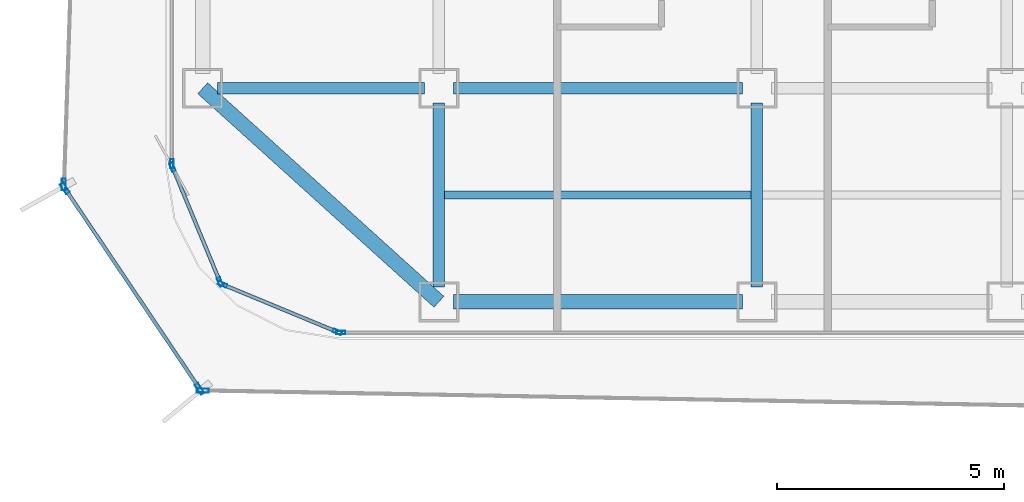
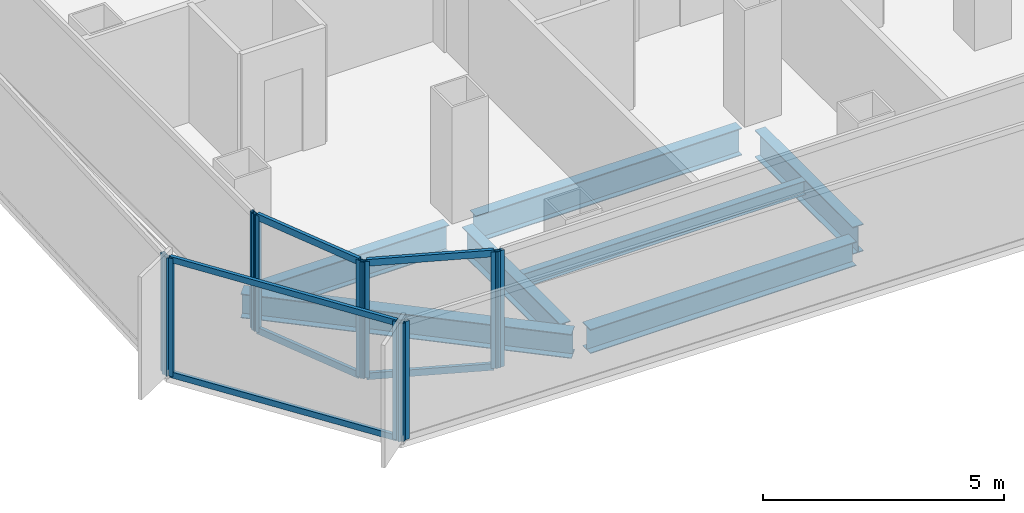
# One storey, part 2 of 21: 16 members, 7 beams, 7 elements without a shape of their own.
"""IFC4 building model written with IfcOpenShell, lengths in metres."""

import ifcopenshell
import ifcopenshell.guid

model = None  # the IFC model being written
_history = None  # IfcOwnerHistory: only IFC2X3 demands one
_inside = {}  # id of a spatial element -> (the spatial element, [elements in it])
_under = {}  # id of a project, library or spatial element -> (it, [spatial elements below it])
_declared = {}  # id of a project -> (the project, [libraries it declares])
_typed = {}  # id of a type object -> (the type object, [elements of that type])
_made_of = {}  # id of a material, layer set ... -> (it, [elements and type objects made of it])


def new_model(schema):
    """Start an empty IFC model of exactly this schema.

    Asked for "IFC4X3", IfcOpenShell would pick the latest addendum, in which some entities
    have other attributes; the version numbers below select the first issue.
    IFC2X3 requires an IfcOwnerHistory on every rooted entity: one is made here for all.
    """
    global model, _history
    if schema == "IFC4X3":
        model = ifcopenshell.file(schema_version=(4, 3, 0, 0))
    else:
        model = ifcopenshell.file(schema=schema)
    _inside.clear()
    _under.clear()
    _declared.clear()
    _typed.clear()
    _made_of.clear()
    _history = None
    if model.schema == "IFC2X3":
        org = make("IfcOrganization", Name="unknown")
        user = make(
            "IfcPersonAndOrganization",
            ThePerson=make("IfcPerson", FamilyName="unknown"),
            TheOrganization=org,
        )
        app = make(
            "IfcApplication",
            ApplicationDeveloper=org,
            Version="unknown",
            ApplicationFullName="unknown",
            ApplicationIdentifier="unknown",
        )
        _history = make(
            "IfcOwnerHistory",
            OwningUser=user,
            OwningApplication=app,
            ChangeAction="ADDED",
            CreationDate=0,
        )
    return model


def make(cls, **values):
    """One entity of the class cls with the attributes given. An attribute that is None is left unset."""
    return model.create_entity(
        cls, **{name: value for name, value in values.items() if value is not None}
    )


def rooted(cls, **values):
    """An entity with a GlobalId (a new one), such as an element, a storey or a relation."""
    return make(cls, GlobalId=ifcopenshell.guid.new(), OwnerHistory=_history, **values)


def si_unit(unit_type, name, prefix=None):
    """IfcSIUnit, for example si_unit("LENGTHUNIT", "METRE", prefix="MILLI")."""
    return make("IfcSIUnit", UnitType=unit_type, Prefix=prefix, Name=name)


def assignment(units):
    """IfcUnitAssignment: the units of a project."""
    return None if units is None else make("IfcUnitAssignment", Units=units)


def point(xyz):
    """IfcCartesianPoint."""
    return None if xyz is None else make("IfcCartesianPoint", Coordinates=xyz)


def direction(xyz):
    """IfcDirection."""
    return None if xyz is None else make("IfcDirection", DirectionRatios=xyz)


def frame(location, z_axis=None, x_axis=None):
    """IfcAxis2Placement3D, a coordinate frame: its origin and axes. An axis left out is left unset."""
    return make(
        "IfcAxis2Placement3D",
        Location=point(location),
        Axis=direction(z_axis),
        RefDirection=direction(x_axis),
    )


def frame_2d(location, x_axis=None):
    """IfcAxis2Placement2D, a coordinate frame in the plane: its origin and x axis."""
    return make(
        "IfcAxis2Placement2D", Location=point(location), RefDirection=direction(x_axis)
    )


def origin():
    """The frame at (0, 0, 0) with its axes left unset."""
    return frame((0.0, 0.0, 0.0))


def origin_2d():
    """The frame at (0, 0) in the plane with its x axis left unset."""
    return frame_2d((0.0, 0.0))


def place(relative_to, where):
    """IfcLocalPlacement: puts the frame where relative to a parent placement (None: the world)."""
    return make(
        "IfcLocalPlacement", PlacementRelTo=relative_to, RelativePlacement=where
    )


def context(
    kind, dimensions, precision=None, world=None, true_north=None, identifier=None
):
    """IfcGeometricRepresentationContext, for example the 3D "Model" context."""
    return make(
        "IfcGeometricRepresentationContext",
        ContextIdentifier=identifier,
        ContextType=kind,
        CoordinateSpaceDimension=dimensions,
        Precision=precision,
        WorldCoordinateSystem=world,
        TrueNorth=true_north,
    )


def subcontext(parent, identifier, kind, view, scale=None):
    """IfcGeometricRepresentationSubContext, for example "Body" below "Model"."""
    return make(
        "IfcGeometricRepresentationSubContext",
        ContextIdentifier=identifier,
        ContextType=kind,
        ParentContext=parent,
        TargetScale=scale,
        TargetView=view,
    )


def project(units=None, contexts=None):
    """IfcProject with its units and contexts."""
    return rooted(
        "IfcProject",
        Name="project",
        RepresentationContexts=contexts,
        UnitsInContext=assignment(units),
    )


def spatial(cls, under=None, at=None, **own):
    """A site, building, storey or space (cls), placed at a placement, below another one or the project."""
    s = rooted(cls, ObjectPlacement=at, **own)
    if under is not None:
        _under.setdefault(under.id(), (under, []))[1].append(s)
    return s


def profile(cls, at=None, kind="AREA", **sizes):
    """A parametric profile (cls). Its sizes go by their IFC names, for example OverallWidth=200.0."""
    return make(cls, ProfileType=kind, Position=at, **sizes)


def hollow_rectangle(**sizes):
    """IfcRectangleHollowProfileDef."""
    return profile("IfcRectangleHollowProfileDef", **sizes)


def i_section(**sizes):
    """IfcIShapeProfileDef."""
    return profile("IfcIShapeProfileDef", **sizes)


def extrude(swept, where, along, depth):
    """IfcExtrudedAreaSolid: the profile swept, set in the frame where, extruded along a direction by depth."""
    return make(
        "IfcExtrudedAreaSolid",
        SweptArea=swept,
        Position=where,
        ExtrudedDirection=direction(along),
        Depth=depth,
    )


def shape(context_of_items, identifier, shape_type, items):
    """IfcShapeRepresentation: the items that make up one representation, for example the "Body"."""
    return make(
        "IfcShapeRepresentation",
        ContextOfItems=context_of_items,
        RepresentationIdentifier=identifier,
        RepresentationType=shape_type,
        Items=items,
    )


def source(mapping_origin, context_of_items, identifier, shape_type, items):
    """IfcRepresentationMap: a shape defined once, which mapped items show again and again."""
    return make(
        "IfcRepresentationMap",
        MappingOrigin=mapping_origin,
        MappedRepresentation=shape(context_of_items, identifier, shape_type, items),
    )


def transform(
    local_origin,
    x_axis=None,
    y_axis=None,
    z_axis=None,
    scale=None,
    scale2=None,
    scale3=None,
    uniform=True,
):
    """IfcCartesianTransformationOperator3D, or its non-uniform kind. x_axis, y_axis, z_axis: its Axis1, 2, 3."""
    if uniform:
        return make(
            "IfcCartesianTransformationOperator3D",
            Axis1=direction(x_axis),
            Axis2=direction(y_axis),
            LocalOrigin=point(local_origin),
            Scale=scale,
            Axis3=direction(z_axis),
        )
    return make(
        "IfcCartesianTransformationOperator3DnonUniform",
        Axis1=direction(x_axis),
        Axis2=direction(y_axis),
        LocalOrigin=point(local_origin),
        Scale=scale,
        Axis3=direction(z_axis),
        Scale2=scale2,
        Scale3=scale3,
    )


def mapped(mapping_source, mapping_target):
    """IfcMappedItem: shows the shape of a source again, moved by a transform."""
    return make(
        "IfcMappedItem", MappingSource=mapping_source, MappingTarget=mapping_target
    )


def material(Name=None, Category=None):
    """IfcMaterial."""
    return make("IfcMaterial", Name=Name, Category=Category)


def layer(
    of_material, thickness, ventilated=None, Name=None, Category=None, Priority=None
):
    """IfcMaterialLayer: one layer of a wall or slab, of a material (None: an air gap)."""
    return make(
        "IfcMaterialLayer",
        Material=of_material,
        LayerThickness=thickness,
        IsVentilated=ventilated,
        Name=Name,
        Category=Category,
        Priority=Priority,
    )


def layer_set(layers, Name=None):
    """IfcMaterialLayerSet."""
    return make("IfcMaterialLayerSet", MaterialLayers=layers, LayerSetName=Name)


def material_profile(
    of_material, cross_section, Name=None, Category=None, Priority=None
):
    """IfcMaterialProfile: a cross section and its material."""
    return make(
        "IfcMaterialProfile",
        Name=Name,
        Material=of_material,
        Profile=cross_section,
        Priority=Priority,
        Category=Category,
    )


def profile_set(profiles, Name=None, composite=None):
    """IfcMaterialProfileSet."""
    return make(
        "IfcMaterialProfileSet",
        Name=Name,
        MaterialProfiles=profiles,
        CompositeProfile=composite,
    )


def made_of(thing, what):
    """Note that an element or type object is made of a material, layer set ...; save() writes the relation."""
    if what is not None:
        _made_of.setdefault(what.id(), (what, []))[1].append(thing)
    return thing


def type_object(cls, material=None, **own):
    """A type object (cls), such as IfcWallType, which elements share."""
    return made_of(rooted(cls, **own), material)


def element(
    cls,
    number,
    at=None,
    inside=None,
    cuts=None,
    type_object=None,
    material=None,
    context=None,
    identifier="Body",
    shape_type=None,
    held_by="IfcProductDefinitionShape",
    body=None,
    shapes=None,
    **own,
):
    """One element of the class cls, such as IfcWall. Its Tag is "e" and its number.

    at: its placement. inside: the storey or other place that contains it. cuts: it is an
    opening in that element (IfcRelVoidsElement). A single representation is given by context,
    identifier, shape_type and body (its items); several are given by shapes. held_by: the class
    of the entity that holds the representations. save() writes the other relations.
    """
    e = rooted(cls, Tag="e%d" % number, ObjectPlacement=at, **own)
    if body is not None:
        shapes = [shape(context, identifier, shape_type, body)]
    if shapes is not None:
        e.Representation = make(held_by, Representations=shapes)
    if inside is not None:
        _inside.setdefault(inside.id(), (inside, []))[1].append(e)
    if cuts is not None:
        rooted(
            "IfcRelVoidsElement", RelatingBuildingElement=cuts, RelatedOpeningElement=e
        )
    if type_object is not None:
        _typed.setdefault(type_object.id(), (type_object, []))[1].append(e)
    return made_of(e, material)


def aggregate(whole, parts):
    """IfcRelAggregates: a whole, such as a stair, and the parts it consists of."""
    return rooted("IfcRelAggregates", RelatingObject=whole, RelatedObjects=parts)


def save(model, path):
    """Write the relations noted so far, then the file.

    IfcRelAggregates (storeys below a building ...), IfcRelContainedInSpatialStructure (elements
    in a storey), IfcRelDefinesByType, IfcRelAssociatesMaterial and IfcRelDeclares: one each for
    every whole, place, type object, material and project.
    """
    for whole, parts in _under.values():
        aggregate(whole, parts)
    for where, things in _inside.values():
        rooted(
            "IfcRelContainedInSpatialStructure",
            RelatedElements=things,
            RelatingStructure=where,
        )
    for kind, things in _typed.values():
        rooted("IfcRelDefinesByType", RelatedObjects=things, RelatingType=kind)
    for what, things in _made_of.values():
        rooted("IfcRelAssociatesMaterial", RelatedObjects=things, RelatingMaterial=what)
    for by, libraries in _declared.values():
        rooted("IfcRelDeclares", RelatingContext=by, RelatedDefinitions=libraries)
    model.write(path)


model = new_model("IFC4")

# Units and contexts
model_context = context("Model", 3, precision=1e-05, world=origin(), true_north=direction((0.0, 1.0)))
body_context = subcontext(model_context, "Body", "Model", "MODEL_VIEW")
ifc_project = project(units=[si_unit("LENGTHUNIT", "METRE"), si_unit("AREAUNIT", "SQUARE_METRE"), si_unit("VOLUMEUNIT", "CUBIC_METRE"), si_unit("PLANEANGLEUNIT", "RADIAN"), si_unit("MASSUNIT", "GRAM", prefix="KILO")], contexts=[model_context])

# Site, building, storey
site_placement = place(None, origin())
site = spatial("IfcSite", under=ifc_project, at=site_placement, CompositionType="ELEMENT")
building_placement = place(site_placement, origin())
building = spatial("IfcBuilding", under=site, at=building_placement, Name="Kolveth Station Tower", CompositionType="ELEMENT")
storey_placement = place(building_placement, frame((0.0, 0.0, 111.89990234375)))
storey = spatial("IfcBuildingStorey", under=building, at=storey_placement, Name="L30", CompositionType="ELEMENT", Elevation=111.89990234375)

# Beams
ifc_material_1 = material(Name="Steel S355", Category="steel")
ifc_material_profile_1 = material_profile(ifc_material_1, i_section(OverallWidth=0.323974609375, OverallDepth=0.611083984375, WebThickness=0.0126953125, FlangeThickness=0.01904296875, at=origin_2d()), Name="W610x155")
ifc_profile_set_1 = profile_set([ifc_material_profile_1], Name="Steel S355")
beam_type_1 = type_object("IfcBeamType", Name="Beam_SP2", PredefinedType="SPANDREL", material=ifc_profile_set_1)
shared_shape_1 = source(origin(), body_context, "Body", "SweptSolid", [
    extrude(i_section(OverallWidth=0.323974609375, OverallDepth=0.611083984375, WebThickness=0.0126953125, FlangeThickness=0.01904296875, at=origin_2d()), origin(), (0.0, 0.0, 1.0), 6.35986328125),
])
beam_1_placement = place(storey_placement, frame((6.320068359375, 0.800048828125, -0.555419921875), z_axis=(1.0, 0.0, 0.0), x_axis=(0.0, 1.0, 0.0)))
element("IfcBeam", 1, at=beam_1_placement, inside=storey, type_object=beam_type_1, Name="L30 Perimeter Spandrel BM-L30-PS-1", PredefinedType="SPANDREL", context=body_context, shape_type="MappedRepresentation", body=[
    mapped(shared_shape_1, transform((0.0, 0.0, 0.0), x_axis=(1.0, 0.0, 0.0), y_axis=(0.0, 1.0, 0.0), z_axis=(0.0, 0.0, 1.0), scale=1.0)),
])
shared_shape_2 = source(origin(), body_context, "Body", "SweptSolid", [
    extrude(i_section(OverallWidth=0.323974609375, OverallDepth=0.611083984375, WebThickness=0.0126953125, FlangeThickness=0.01904296875, at=origin_2d()), origin(), (0.0, 0.0, 1.0), 7.00927734375),
])
beam_2_placement = place(storey_placement, frame((0.800048828125, 5.5, -0.555419921875), z_axis=(0.741874009795, -0.670539300557, 0.0), x_axis=(0.670539300557, 0.741874009795, 0.0)))
element("IfcBeam", 2, at=beam_2_placement, inside=storey, type_object=beam_type_1, Name="L30 Corner Edge Girder BM-L30-CNR-SW", PredefinedType="SPANDREL", context=body_context, shape_type="MappedRepresentation", body=[
    mapped(shared_shape_2, transform((0.0, 0.0, 0.0), x_axis=(1.0, 0.0, 0.0), y_axis=(0.0, 1.0, 0.0), z_axis=(0.0, 0.0, 1.0), scale=1.0)),
])
ifc_material_profile_2 = material_profile(ifc_material_1, i_section(OverallWidth=0.25390625, OverallDepth=0.68798828125, WebThickness=0.01318359375, FlangeThickness=0.02099609375, at=origin_2d()), Name="W690x152")
ifc_profile_set_2 = profile_set([ifc_material_profile_2], Name="Steel S355")
beam_type_2 = type_object("IfcBeamType", Name="Beam_B4", PredefinedType="BEAM", material=ifc_profile_set_2)
shared_shape_3 = source(origin(), body_context, "Body", "SweptSolid", [
    extrude(i_section(OverallWidth=0.25390625, OverallDepth=0.68798828125, WebThickness=0.01318359375, FlangeThickness=0.02099609375, at=origin_2d()), origin(), (0.0, 0.0, 1.0), 4.559814453125),
])
beam_3_placement = place(storey_placement, frame((1.1201171875, 5.5, -0.593994140625), z_axis=(1.0, 0.0, 0.0), x_axis=(0.0, 1.0, 0.0)))
element("IfcBeam", 3, at=beam_3_placement, inside=storey, type_object=beam_type_2, Name="L30 Primary Girder BM-L30-GY55-1", PredefinedType="BEAM", context=body_context, shape_type="MappedRepresentation", body=[
    mapped(shared_shape_3, transform((0.0, 0.0, 0.0), x_axis=(1.0, 0.0, 0.0), y_axis=(0.0, 1.0, 0.0), z_axis=(0.0, 0.0, 1.0), scale=1.0)),
])
shared_shape_4 = source(origin(), body_context, "Body", "SweptSolid", [
    extrude(i_section(OverallWidth=0.25390625, OverallDepth=0.68798828125, WebThickness=0.01318359375, FlangeThickness=0.02099609375, at=origin_2d()), origin(), (0.0, 0.0, 1.0), 6.35986328125),
])
beam_4_placement = place(storey_placement, frame((6.320068359375, 5.5, -0.593994140625), z_axis=(1.0, 0.0, 0.0), x_axis=(0.0, 1.0, 0.0)))
element("IfcBeam", 4, at=beam_4_placement, inside=storey, type_object=beam_type_2, Name="L30 Primary Girder BM-L30-GY55-2", PredefinedType="BEAM", context=body_context, shape_type="MappedRepresentation", body=[
    mapped(shared_shape_4, transform((0.0, 0.0, 0.0), x_axis=(1.0, 0.0, 0.0), y_axis=(0.0, 1.0, 0.0), z_axis=(0.0, 0.0, 1.0), scale=1.0)),
])
shared_shape_5 = source(origin(), body_context, "Body", "SweptSolid", [
    extrude(i_section(OverallWidth=0.25390625, OverallDepth=0.68798828125, WebThickness=0.01318359375, FlangeThickness=0.02099609375, at=origin_2d()), origin(), (0.0, 0.0, 1.0), 4.059814453125),
])
for number, where, z_axis, x_axis, name in (
    (5, (6.0, 1.1201171875, -0.593994140625), (0.0, 1.0, 0.0), (-1.0, 0.0, 0.0), "L30 Primary Girder BM-L30-GX60-1"),
    (6, (13.0, 1.1201171875, -0.593994140625), (0.0, 1.0, 0.0), (-1.0, 0.0, 0.0), "L30 Primary Girder BM-L30-GX130-1"),
):
    element("IfcBeam", number, at=place(storey_placement, frame(where, z_axis=z_axis, x_axis=x_axis)), inside=storey, type_object=beam_type_2, Name=name, PredefinedType="BEAM", context=body_context, shape_type="MappedRepresentation", body=[
        mapped(shared_shape_5, transform((0.0, 0.0, 0.0), x_axis=(1.0, 0.0, 0.0), y_axis=(0.0, 1.0, 0.0), z_axis=(0.0, 0.0, 1.0), scale=1.0)),
    ])
ifc_material_profile_3 = material_profile(ifc_material_1, i_section(OverallWidth=0.1708984375, OverallDepth=0.35205078125, WebThickness=0.0068359375, FlangeThickness=0.009765625, at=origin_2d()), Name="W360x44")
ifc_profile_set_3 = profile_set([ifc_material_profile_3], Name="Steel S355")
beam_type_3 = type_object("IfcBeamType", Name="Beam_J2", PredefinedType="JOIST", material=ifc_profile_set_3)
shared_shape_6 = source(origin(), body_context, "Body", "SweptSolid", [
    extrude(i_section(OverallWidth=0.1708984375, OverallDepth=0.35205078125, WebThickness=0.0068359375, FlangeThickness=0.009765625, at=origin_2d()), origin(), (0.0, 0.0, 1.0), 6.75),
])
beam_5_placement = place(storey_placement, frame((6.125, 3.14990234375, -0.42578125), z_axis=(1.0, 0.0, 0.0), x_axis=(0.0, 1.0, 0.0)))
element("IfcBeam", 7, at=beam_5_placement, inside=storey, type_object=beam_type_3, Name="L30 Secondary Joist JST-L30-2-1", PredefinedType="JOIST", context=body_context, shape_type="MappedRepresentation", body=[
    mapped(shared_shape_6, transform((0.0, 0.0, 0.0), x_axis=(1.0, 0.0, 0.0), y_axis=(0.0, 1.0, 0.0), z_axis=(0.0, 0.0, 1.0), scale=1.0)),
])

# Curtain wall, members
ifc_material_2 = material(Name="Aluminium 6063-T6 and low-E dark glass", Category="aluminium")
ifc_layer_1 = layer(ifc_material_2, 0.18994140625)
ifc_layer_set_1 = layer_set([ifc_layer_1], Name="Aluminium 6063-T6 and low-E dark glass")
curtain_wall_type_1 = type_object("IfcCurtainWallType", Name="CurtainWall_CW-Z2", PredefinedType="NOTDEFINED", material=ifc_layer_set_1)
curtain_wall_1_placement = place(storey_placement, origin())
curtain_wall_1 = element("IfcCurtainWall", 8, at=curtain_wall_1_placement, inside=storey, type_object=curtain_wall_type_1, Name="L30 Inner Thermal Curtain Wall 10", PredefinedType="NOTDEFINED")
ifc_material_3 = material(Name="Black anodized aluminium 6063-T6", Category="aluminium")
ifc_material_profile_4 = material_profile(ifc_material_3, hollow_rectangle(XDim=0.080078125, YDim=0.169921875, WallThickness=0.0048828125, at=origin_2d()), Name="ALU-80x170x5")
ifc_profile_set_4 = profile_set([ifc_material_profile_4], Name="Black anodized aluminium 6063-T6")
member_type_1 = type_object("IfcMemberType", Name="Transom_TR2", PredefinedType="USERDEFINED", material=ifc_profile_set_4)
shared_shape_7 = source(origin(), body_context, "Body", "SweptSolid", [
    extrude(hollow_rectangle(XDim=0.080078125, YDim=0.169921875, WallThickness=0.0048828125, at=origin_2d()), origin(), (0.0, 0.0, 1.0), 2.656494140625),
])
member_1_placement = place(storey_placement, frame((0.150634765625, 3.72607421875, 0.0400390625), z_axis=(0.382676455475, -0.923882422403, 0.0), x_axis=(0.923882422403, 0.382676455475, 0.0)))
member_1 = element("IfcMember", 9, at=member_1_placement, type_object=member_type_1, Name="CW-Z2 transom 1.1", ObjectType="TRANSOM", PredefinedType="USERDEFINED", context=body_context, shape_type="MappedRepresentation", body=[
    mapped(shared_shape_7, transform((0.0, 0.0, 0.0), x_axis=(1.0, 0.0, 0.0), y_axis=(0.0, 1.0, 0.0), z_axis=(0.0, 0.0, 1.0), scale=1.0)),
])
member_2_placement = place(storey_placement, frame((0.150634765625, 3.72607421875, 2.91015625), z_axis=(0.382676455475, -0.923882422403, 0.0), x_axis=(0.923882422403, 0.382676455475, 0.0)))
member_2 = element("IfcMember", 10, at=member_2_placement, type_object=member_type_1, Name="CW-Z2 transom 1.2", ObjectType="TRANSOM", PredefinedType="USERDEFINED", context=body_context, shape_type="MappedRepresentation", body=[
    mapped(shared_shape_7, transform((0.0, 0.0, 0.0), x_axis=(1.0, 0.0, 0.0), y_axis=(0.0, 1.0, 0.0), z_axis=(0.0, 0.0, 1.0), scale=1.0)),
])

curtain_wall_2_placement = place(storey_placement, origin())
curtain_wall_2 = element("IfcCurtainWall", 11, at=curtain_wall_2_placement, inside=storey, type_object=curtain_wall_type_1, Name="L30 Inner Thermal Curtain Wall 11", PredefinedType="NOTDEFINED")
member_3_placement = place(storey_placement, frame((1.271728515625, 1.167236328125, 0.0400390625), z_axis=(0.923882422403, -0.382676455475, 0.0), x_axis=(0.382676455475, 0.923882422403, 0.0)))
member_3 = element("IfcMember", 12, at=member_3_placement, type_object=member_type_1, Name="CW-Z2 transom 1.1", ObjectType="TRANSOM", PredefinedType="USERDEFINED", context=body_context, shape_type="MappedRepresentation", body=[
    mapped(shared_shape_7, transform((0.0, 0.0, 0.0), x_axis=(1.0, 0.0, 0.0), y_axis=(0.0, 1.0, 0.0), z_axis=(0.0, 0.0, 1.0), scale=1.0)),
])
member_4_placement = place(storey_placement, frame((1.271728515625, 1.167236328125, 2.91015625), z_axis=(0.923882422403, -0.382676455475, 0.0), x_axis=(0.382676455475, 0.923882422403, 0.0)))
member_4 = element("IfcMember", 13, at=member_4_placement, type_object=member_type_1, Name="CW-Z2 transom 1.2", ObjectType="TRANSOM", PredefinedType="USERDEFINED", context=body_context, shape_type="MappedRepresentation", body=[
    mapped(shared_shape_7, transform((0.0, 0.0, 0.0), x_axis=(1.0, 0.0, 0.0), y_axis=(0.0, 1.0, 0.0), z_axis=(0.0, 0.0, 1.0), scale=1.0)),
])

# Curtain wall, member
ifc_material_4 = material(Name="Black anodized aluminium 6063-T6 and dark solar glass", Category="aluminium")
ifc_layer_2 = layer(ifc_material_4, 0.159912109375)
ifc_layer_set_2 = layer_set([ifc_layer_2], Name="Black anodized aluminium 6063-T6 and dark solar glass")
curtain_wall_type_2 = type_object("IfcCurtainWallType", Name="OUTER SKIN CW-OS", PredefinedType="NOTDEFINED", material=ifc_layer_set_2)
curtain_wall_3_placement = place(storey_placement, origin())
curtain_wall_3 = element("IfcCurtainWall", 14, at=curtain_wall_3_placement, inside=storey, type_object=curtain_wall_type_2, Name="L30 Outer Ventilated Skin Curtain Wall 6", PredefinedType="NOTDEFINED")
ifc_material_profile_5 = material_profile(ifc_material_3, hollow_rectangle(XDim=0.090087890625, YDim=0.260009765625, WallThickness=0.0048828125, at=origin_2d()), Name="ALU-90x260x5")
ifc_profile_set_5 = profile_set([ifc_material_profile_5], Name="Black anodized aluminium 6063-T6")
member_type_2 = type_object("IfcMemberType", Name="FIN MULLION ML-OS", PredefinedType="MULLION", material=ifc_profile_set_5)
shared_shape_8 = source(origin(), body_context, "Body", "SweptSolid", [
    extrude(hollow_rectangle(XDim=0.090087890625, YDim=0.260009765625, WallThickness=0.0048828125, at=origin_2d()), origin(), (0.0, 0.0, 1.0), 2.989990234375),
])
member_5_placement = place(storey_placement, frame((-2.259033203125, 3.380615234375, 0.0), z_axis=(0.0, 0.0, 1.0), x_axis=(0.999444314785, -0.033332591305, 0.0)))
member_5 = element("IfcMember", 15, at=member_5_placement, type_object=member_type_2, Name="CW-OS mullion 2", PredefinedType="MULLION", context=body_context, shape_type="MappedRepresentation", body=[
    mapped(shared_shape_8, transform((0.0, 0.0, 0.0), x_axis=(1.0, 0.0, 0.0), y_axis=(0.0, 1.0, 0.0), z_axis=(0.0, 0.0, 1.0), scale=1.0)),
])
aggregate(curtain_wall_3, [member_5])

# Curtain wall, members
curtain_wall_4_placement = place(storey_placement, origin())
curtain_wall_4 = element("IfcCurtainWall", 16, at=curtain_wall_4_placement, inside=storey, type_object=curtain_wall_type_2, Name="L30 Outer Ventilated Skin Curtain Wall 7", PredefinedType="NOTDEFINED")
member_6_placement = place(storey_placement, frame((-2.2353515625, 3.29833984375, 0.0), z_axis=(0.0, 0.0, 1.0), x_axis=(0.830006155325, 0.557754230931, 0.0)))
member_6 = element("IfcMember", 17, at=member_6_placement, type_object=member_type_2, Name="CW-OS mullion 1", PredefinedType="MULLION", context=body_context, shape_type="MappedRepresentation", body=[
    mapped(shared_shape_8, transform((0.0, 0.0, 0.0), x_axis=(1.0, 0.0, 0.0), y_axis=(0.0, 1.0, 0.0), z_axis=(0.0, 0.0, 1.0), scale=1.0)),
])
member_7_placement = place(storey_placement, frame((0.732421875, -1.118408203125, 0.0), z_axis=(0.0, 0.0, 1.0), x_axis=(0.830006155325, 0.557754230931, 0.0)))
member_7 = element("IfcMember", 18, at=member_7_placement, type_object=member_type_2, Name="CW-OS mullion 2", PredefinedType="MULLION", context=body_context, shape_type="MappedRepresentation", body=[
    mapped(shared_shape_8, transform((0.0, 0.0, 0.0), x_axis=(1.0, 0.0, 0.0), y_axis=(0.0, 1.0, 0.0), z_axis=(0.0, 0.0, 1.0), scale=1.0)),
])

# Curtain wall, member
curtain_wall_5_placement = place(storey_placement, origin())
curtain_wall_5 = element("IfcCurtainWall", 19, at=curtain_wall_5_placement, inside=storey, type_object=curtain_wall_type_2, Name="L30 Outer Ventilated Skin Curtain Wall 8", PredefinedType="NOTDEFINED")
member_8_placement = place(storey_placement, frame((0.802490234375, -1.156494140625, 0.0), z_axis=(0.0, 0.0, 1.0), x_axis=(0.018161477836, 0.99983506676, 0.0)))
member_8 = element("IfcMember", 20, at=member_8_placement, type_object=member_type_2, Name="CW-OS mullion 1", PredefinedType="MULLION", context=body_context, shape_type="MappedRepresentation", body=[
    mapped(shared_shape_8, transform((0.0, 0.0, 0.0), x_axis=(1.0, 0.0, 0.0), y_axis=(0.0, 1.0, 0.0), z_axis=(0.0, 0.0, 1.0), scale=1.0)),
])
aggregate(curtain_wall_5, [member_8])

curtain_wall_6_placement = place(storey_placement, origin())
curtain_wall_6 = element("IfcCurtainWall", 21, at=curtain_wall_6_placement, inside=storey, type_object=curtain_wall_type_1, Name="L30 Inner Thermal Curtain Wall 9", PredefinedType="NOTDEFINED")
ifc_material_profile_6 = material_profile(ifc_material_3, hollow_rectangle(XDim=0.080078125, YDim=0.199951171875, WallThickness=0.0048828125, at=origin_2d()), Name="ALU-80x200x5")
ifc_profile_set_6 = profile_set([ifc_material_profile_6], Name="Black anodized aluminium 6063-T6")
member_type_3 = type_object("IfcMemberType", Name="Mullion_ML2", PredefinedType="MULLION", material=ifc_profile_set_6)
shared_shape_9 = source(origin(), body_context, "Body", "SweptSolid", [
    extrude(hollow_rectangle(XDim=0.080078125, YDim=0.199951171875, WallThickness=0.0048828125, at=origin_2d()), origin(), (0.0, 0.0, 1.0), 2.9501953125),
])
member_9_placement = place(storey_placement, frame((0.1201171875, 3.840087890625, 0.0), z_axis=(0.0, 0.0, 1.0), x_axis=(1.0, 0.0, 0.0)))
member_9 = element("IfcMember", 22, at=member_9_placement, type_object=member_type_3, Name="CW-Z2 mullion 2", PredefinedType="MULLION", context=body_context, shape_type="MappedRepresentation", body=[
    mapped(shared_shape_9, transform((0.0, 0.0, 0.0), x_axis=(1.0, 0.0, 0.0), y_axis=(0.0, 1.0, 0.0), z_axis=(0.0, 0.0, 1.0), scale=1.0)),
])
aggregate(curtain_wall_6, [member_9])

# Member
member_10_placement = place(storey_placement, frame((0.13525390625, 3.762939453125, 0.0), z_axis=(0.0, 0.0, 1.0), x_axis=(0.923887883787, 0.38266326998, 0.0)))
member_10 = element("IfcMember", 23, at=member_10_placement, type_object=member_type_3, Name="CW-Z2 mullion 1", PredefinedType="MULLION", context=body_context, shape_type="MappedRepresentation", body=[
    mapped(shared_shape_9, transform((0.0, 0.0, 0.0), x_axis=(1.0, 0.0, 0.0), y_axis=(0.0, 1.0, 0.0), z_axis=(0.0, 0.0, 1.0), scale=1.0)),
])

member_11_placement = place(storey_placement, frame((1.182373046875, 1.23486328125, 0.0), z_axis=(0.0, 0.0, 1.0), x_axis=(0.923887883787, 0.38266326998, 0.0)))
member_11 = element("IfcMember", 24, at=member_11_placement, type_object=member_type_3, Name="CW-Z2 mullion 2", PredefinedType="MULLION", context=body_context, shape_type="MappedRepresentation", body=[
    mapped(shared_shape_9, transform((0.0, 0.0, 0.0), x_axis=(1.0, 0.0, 0.0), y_axis=(0.0, 1.0, 0.0), z_axis=(0.0, 0.0, 1.0), scale=1.0)),
])

aggregate(curtain_wall_1, [member_10, member_11, member_1, member_2])

member_12_placement = place(storey_placement, frame((1.23486328125, 1.182373046875, 0.0), z_axis=(0.0, 0.0, 1.0), x_axis=(0.38266326998, 0.923887883787, 0.0)))
member_12 = element("IfcMember", 25, at=member_12_placement, type_object=member_type_3, Name="CW-Z2 mullion 1", PredefinedType="MULLION", context=body_context, shape_type="MappedRepresentation", body=[
    mapped(shared_shape_9, transform((0.0, 0.0, 0.0), x_axis=(1.0, 0.0, 0.0), y_axis=(0.0, 1.0, 0.0), z_axis=(0.0, 0.0, 1.0), scale=1.0)),
])

member_13_placement = place(storey_placement, frame((3.762939453125, 0.13525390625, 0.0), z_axis=(0.0, 0.0, 1.0), x_axis=(0.38266326998, 0.923887883787, 0.0)))
member_13 = element("IfcMember", 26, at=member_13_placement, type_object=member_type_3, Name="CW-Z2 mullion 2", PredefinedType="MULLION", context=body_context, shape_type="MappedRepresentation", body=[
    mapped(shared_shape_9, transform((0.0, 0.0, 0.0), x_axis=(1.0, 0.0, 0.0), y_axis=(0.0, 1.0, 0.0), z_axis=(0.0, 0.0, 1.0), scale=1.0)),
])

aggregate(curtain_wall_2, [member_12, member_13, member_3, member_4])

# Curtain wall, member
curtain_wall_7_placement = place(storey_placement, origin())
curtain_wall_7 = element("IfcCurtainWall", 27, at=curtain_wall_7_placement, inside=storey, type_object=curtain_wall_type_1, Name="L30 Inner Thermal Curtain Wall 12", PredefinedType="NOTDEFINED")
member_14_placement = place(storey_placement, frame((3.840087890625, 0.1201171875, 0.0), z_axis=(0.0, 0.0, 1.0), x_axis=(0.0, 1.0, 0.0)))
member_14 = element("IfcMember", 28, at=member_14_placement, type_object=member_type_3, Name="CW-Z2 mullion 1", PredefinedType="MULLION", context=body_context, shape_type="MappedRepresentation", body=[
    mapped(shared_shape_9, transform((0.0, 0.0, 0.0), x_axis=(1.0, 0.0, 0.0), y_axis=(0.0, 1.0, 0.0), z_axis=(0.0, 0.0, 1.0), scale=1.0)),
])
aggregate(curtain_wall_7, [member_14])

# Member
ifc_material_profile_7 = material_profile(ifc_material_3, hollow_rectangle(XDim=0.080078125, YDim=0.14990234375, WallThickness=0.0048828125, at=origin_2d()), Name="ALU-80x150x5")
ifc_profile_set_7 = profile_set([ifc_material_profile_7], Name="Black anodized aluminium 6063-T6")
member_type_4 = type_object("IfcMemberType", Name="Transom_TR-OS", PredefinedType="USERDEFINED", material=ifc_profile_set_7)
shared_shape_10 = source(origin(), body_context, "Body", "SweptSolid", [
    extrude(hollow_rectangle(XDim=0.080078125, YDim=0.14990234375, WallThickness=0.0048828125, at=origin_2d()), origin(), (0.0, 0.0, 1.0), 5.231201171875),
])
member_15_placement = place(storey_placement, frame((-2.210205078125, 3.260986328125, 0.0400390625), z_axis=(0.557744336426, -0.830012804229, 0.0), x_axis=(0.830012804229, 0.557744336426, 0.0)))
member_15 = element("IfcMember", 29, at=member_15_placement, type_object=member_type_4, Name="CW-OS transom 1.1", ObjectType="TRANSOM", PredefinedType="USERDEFINED", context=body_context, shape_type="MappedRepresentation", body=[
    mapped(shared_shape_10, transform((0.0, 0.0, 0.0), x_axis=(1.0, 0.0, 0.0), y_axis=(0.0, 1.0, 0.0), z_axis=(0.0, 0.0, 1.0), scale=1.0)),
])

member_16_placement = place(storey_placement, frame((-2.210205078125, 3.260986328125, 2.9501953125), z_axis=(0.557744336426, -0.830012804229, 0.0), x_axis=(0.830012804229, 0.557744336426, 0.0)))
member_16 = element("IfcMember", 30, at=member_16_placement, type_object=member_type_4, Name="CW-OS transom 1.2", ObjectType="TRANSOM", PredefinedType="USERDEFINED", context=body_context, shape_type="MappedRepresentation", body=[
    mapped(shared_shape_10, transform((0.0, 0.0, 0.0), x_axis=(1.0, 0.0, 0.0), y_axis=(0.0, 1.0, 0.0), z_axis=(0.0, 0.0, 1.0), scale=1.0)),
])

aggregate(curtain_wall_4, [member_6, member_7, member_15, member_16])

save(model, "model.ifc")
